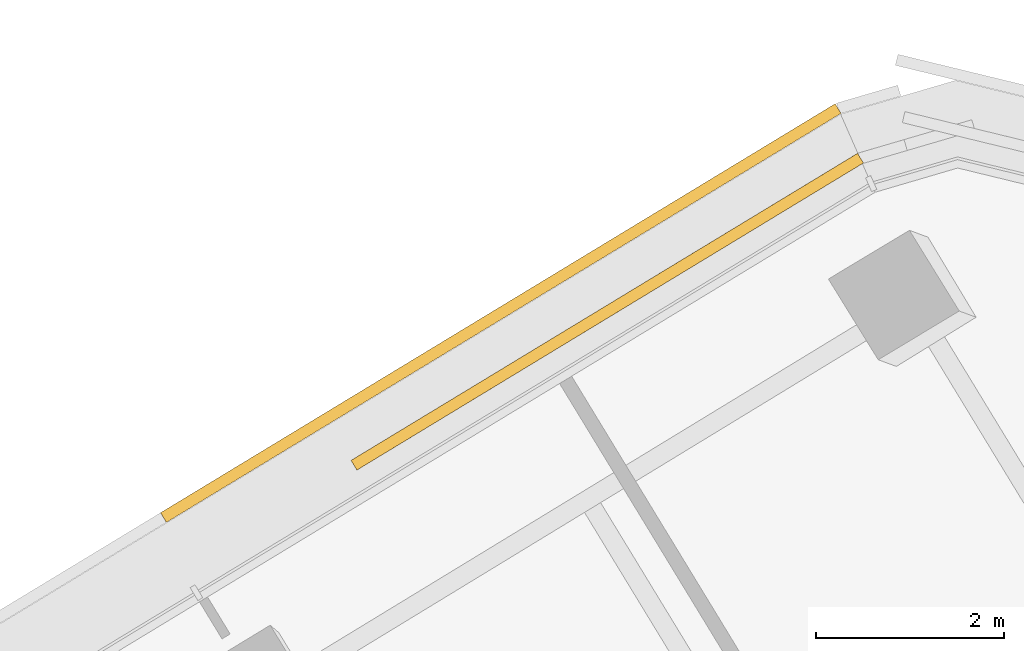
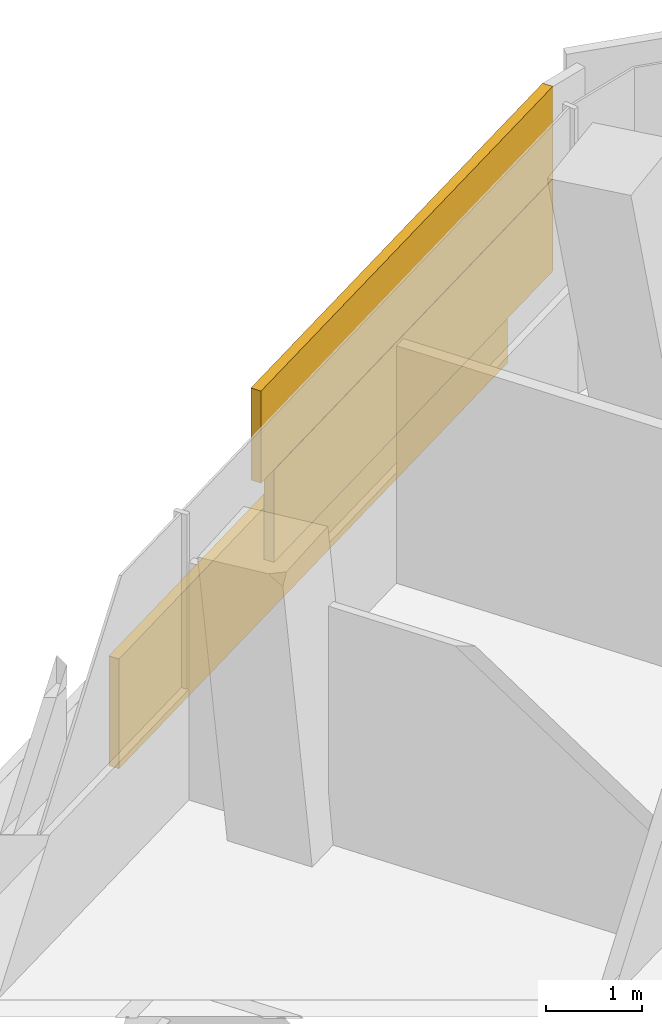
# One storey, part 35 of 35: 1 covering.
"""IFC4 building model written with IfcOpenShell, lengths in metres."""

import ifcopenshell
import ifcopenshell.guid

model = None  # the IFC model being written
_history = None  # IfcOwnerHistory: only IFC2X3 demands one
_inside = {}  # id of a spatial element -> (the spatial element, [elements in it])
_under = {}  # id of a project, library or spatial element -> (it, [spatial elements below it])
_declared = {}  # id of a project -> (the project, [libraries it declares])
_typed = {}  # id of a type object -> (the type object, [elements of that type])
_made_of = {}  # id of a material, layer set ... -> (it, [elements and type objects made of it])


def new_model(schema):
    """Start an empty IFC model of exactly this schema.

    Asked for "IFC4X3", IfcOpenShell would pick the latest addendum, in which some entities
    have other attributes; the version numbers below select the first issue.
    IFC2X3 requires an IfcOwnerHistory on every rooted entity: one is made here for all.
    """
    global model, _history
    if schema == "IFC4X3":
        model = ifcopenshell.file(schema_version=(4, 3, 0, 0))
    else:
        model = ifcopenshell.file(schema=schema)
    _inside.clear()
    _under.clear()
    _declared.clear()
    _typed.clear()
    _made_of.clear()
    _history = None
    if model.schema == "IFC2X3":
        org = make("IfcOrganization", Name="unknown")
        user = make(
            "IfcPersonAndOrganization",
            ThePerson=make("IfcPerson", FamilyName="unknown"),
            TheOrganization=org,
        )
        app = make(
            "IfcApplication",
            ApplicationDeveloper=org,
            Version="unknown",
            ApplicationFullName="unknown",
            ApplicationIdentifier="unknown",
        )
        _history = make(
            "IfcOwnerHistory",
            OwningUser=user,
            OwningApplication=app,
            ChangeAction="ADDED",
            CreationDate=0,
        )
    return model


def make(cls, **values):
    """One entity of the class cls with the attributes given. An attribute that is None is left unset."""
    return model.create_entity(
        cls, **{name: value for name, value in values.items() if value is not None}
    )


def rooted(cls, **values):
    """An entity with a GlobalId (a new one), such as an element, a storey or a relation."""
    return make(cls, GlobalId=ifcopenshell.guid.new(), OwnerHistory=_history, **values)


def si_unit(unit_type, name, prefix=None):
    """IfcSIUnit, for example si_unit("LENGTHUNIT", "METRE", prefix="MILLI")."""
    return make("IfcSIUnit", UnitType=unit_type, Prefix=prefix, Name=name)


def assignment(units):
    """IfcUnitAssignment: the units of a project."""
    return None if units is None else make("IfcUnitAssignment", Units=units)


def point(xyz):
    """IfcCartesianPoint."""
    return None if xyz is None else make("IfcCartesianPoint", Coordinates=xyz)


def direction(xyz):
    """IfcDirection."""
    return None if xyz is None else make("IfcDirection", DirectionRatios=xyz)


def frame(location, z_axis=None, x_axis=None):
    """IfcAxis2Placement3D, a coordinate frame: its origin and axes. An axis left out is left unset."""
    return make(
        "IfcAxis2Placement3D",
        Location=point(location),
        Axis=direction(z_axis),
        RefDirection=direction(x_axis),
    )


def frame_2d(location, x_axis=None):
    """IfcAxis2Placement2D, a coordinate frame in the plane: its origin and x axis."""
    return make(
        "IfcAxis2Placement2D", Location=point(location), RefDirection=direction(x_axis)
    )


def origin():
    """The frame at (0, 0, 0) with its axes left unset."""
    return frame((0.0, 0.0, 0.0))


def origin_2d():
    """The frame at (0, 0) in the plane with its x axis left unset."""
    return frame_2d((0.0, 0.0))


def place(relative_to, where):
    """IfcLocalPlacement: puts the frame where relative to a parent placement (None: the world)."""
    return make(
        "IfcLocalPlacement", PlacementRelTo=relative_to, RelativePlacement=where
    )


def context(
    kind, dimensions, precision=None, world=None, true_north=None, identifier=None
):
    """IfcGeometricRepresentationContext, for example the 3D "Model" context."""
    return make(
        "IfcGeometricRepresentationContext",
        ContextIdentifier=identifier,
        ContextType=kind,
        CoordinateSpaceDimension=dimensions,
        Precision=precision,
        WorldCoordinateSystem=world,
        TrueNorth=true_north,
    )


def subcontext(parent, identifier, kind, view, scale=None):
    """IfcGeometricRepresentationSubContext, for example "Body" below "Model"."""
    return make(
        "IfcGeometricRepresentationSubContext",
        ContextIdentifier=identifier,
        ContextType=kind,
        ParentContext=parent,
        TargetScale=scale,
        TargetView=view,
    )


def project(units=None, contexts=None):
    """IfcProject with its units and contexts."""
    return rooted(
        "IfcProject",
        Name="project",
        RepresentationContexts=contexts,
        UnitsInContext=assignment(units),
    )


def spatial(cls, under=None, at=None, **own):
    """A site, building, storey or space (cls), placed at a placement, below another one or the project."""
    s = rooted(cls, ObjectPlacement=at, **own)
    if under is not None:
        _under.setdefault(under.id(), (under, []))[1].append(s)
    return s


def profile(cls, at=None, kind="AREA", **sizes):
    """A parametric profile (cls). Its sizes go by their IFC names, for example OverallWidth=200.0."""
    return make(cls, ProfileType=kind, Position=at, **sizes)


def rectangle(**sizes):
    """IfcRectangleProfileDef."""
    return profile("IfcRectangleProfileDef", **sizes)


def extrude(swept, where, along, depth):
    """IfcExtrudedAreaSolid: the profile swept, set in the frame where, extruded along a direction by depth."""
    return make(
        "IfcExtrudedAreaSolid",
        SweptArea=swept,
        Position=where,
        ExtrudedDirection=direction(along),
        Depth=depth,
    )


def shape(context_of_items, identifier, shape_type, items):
    """IfcShapeRepresentation: the items that make up one representation, for example the "Body"."""
    return make(
        "IfcShapeRepresentation",
        ContextOfItems=context_of_items,
        RepresentationIdentifier=identifier,
        RepresentationType=shape_type,
        Items=items,
    )


def material(Name=None, Category=None):
    """IfcMaterial."""
    return make("IfcMaterial", Name=Name, Category=Category)


def layer(
    of_material, thickness, ventilated=None, Name=None, Category=None, Priority=None
):
    """IfcMaterialLayer: one layer of a wall or slab, of a material (None: an air gap)."""
    return make(
        "IfcMaterialLayer",
        Material=of_material,
        LayerThickness=thickness,
        IsVentilated=ventilated,
        Name=Name,
        Category=Category,
        Priority=Priority,
    )


def layer_set(layers, Name=None):
    """IfcMaterialLayerSet."""
    return make("IfcMaterialLayerSet", MaterialLayers=layers, LayerSetName=Name)


def made_of(thing, what):
    """Note that an element or type object is made of a material, layer set ...; save() writes the relation."""
    if what is not None:
        _made_of.setdefault(what.id(), (what, []))[1].append(thing)
    return thing


def type_object(cls, material=None, **own):
    """A type object (cls), such as IfcWallType, which elements share."""
    return made_of(rooted(cls, **own), material)


def element(
    cls,
    number,
    at=None,
    inside=None,
    cuts=None,
    type_object=None,
    material=None,
    context=None,
    identifier="Body",
    shape_type=None,
    held_by="IfcProductDefinitionShape",
    body=None,
    shapes=None,
    **own,
):
    """One element of the class cls, such as IfcWall. Its Tag is "e" and its number.

    at: its placement. inside: the storey or other place that contains it. cuts: it is an
    opening in that element (IfcRelVoidsElement). A single representation is given by context,
    identifier, shape_type and body (its items); several are given by shapes. held_by: the class
    of the entity that holds the representations. save() writes the other relations.
    """
    e = rooted(cls, Tag="e%d" % number, ObjectPlacement=at, **own)
    if body is not None:
        shapes = [shape(context, identifier, shape_type, body)]
    if shapes is not None:
        e.Representation = make(held_by, Representations=shapes)
    if inside is not None:
        _inside.setdefault(inside.id(), (inside, []))[1].append(e)
    if cuts is not None:
        rooted(
            "IfcRelVoidsElement", RelatingBuildingElement=cuts, RelatedOpeningElement=e
        )
    if type_object is not None:
        _typed.setdefault(type_object.id(), (type_object, []))[1].append(e)
    return made_of(e, material)


def aggregate(whole, parts):
    """IfcRelAggregates: a whole, such as a stair, and the parts it consists of."""
    return rooted("IfcRelAggregates", RelatingObject=whole, RelatedObjects=parts)


def save(model, path):
    """Write the relations noted so far, then the file.

    IfcRelAggregates (storeys below a building ...), IfcRelContainedInSpatialStructure (elements
    in a storey), IfcRelDefinesByType, IfcRelAssociatesMaterial and IfcRelDeclares: one each for
    every whole, place, type object, material and project.
    """
    for whole, parts in _under.values():
        aggregate(whole, parts)
    for where, things in _inside.values():
        rooted(
            "IfcRelContainedInSpatialStructure",
            RelatedElements=things,
            RelatingStructure=where,
        )
    for kind, things in _typed.values():
        rooted("IfcRelDefinesByType", RelatedObjects=things, RelatingType=kind)
    for what, things in _made_of.values():
        rooted("IfcRelAssociatesMaterial", RelatedObjects=things, RelatingMaterial=what)
    for by, libraries in _declared.values():
        rooted("IfcRelDeclares", RelatingContext=by, RelatedDefinitions=libraries)
    model.write(path)


model = new_model("IFC4")

# Units and contexts
model_context = context("Model", 3, precision=1e-05, world=origin(), true_north=direction((0.0, 1.0)))
body_context = subcontext(model_context, "Body", "Model", "MODEL_VIEW")
ifc_project = project(units=[si_unit("LENGTHUNIT", "METRE"), si_unit("AREAUNIT", "SQUARE_METRE"), si_unit("VOLUMEUNIT", "CUBIC_METRE"), si_unit("PLANEANGLEUNIT", "RADIAN"), si_unit("MASSUNIT", "GRAM", prefix="KILO")], contexts=[model_context])

# Site, building, storey
site_placement = place(None, origin())
site = spatial("IfcSite", under=ifc_project, at=site_placement, CompositionType="ELEMENT")
building_placement = place(site_placement, origin())
building = spatial("IfcBuilding", under=site, at=building_placement, Name="Tamarind Cross Interchange Tower", CompositionType="ELEMENT")
storey_placement = place(building_placement, frame((0.0, 0.0, 148.0)))
storey = spatial("IfcBuildingStorey", under=building, at=storey_placement, Name="L36", CompositionType="ELEMENT", Elevation=148.0)

# Covering
ifc_material = material(Name="Terracotta", Category="masonry")
ifc_layer = layer(ifc_material, 0.1201171875)
ifc_layer_set = layer_set([ifc_layer], Name="Terracotta")
covering_type = type_object("IfcCoveringType", Name="Terracotta baguette screen unit", PredefinedType="MOLDING", material=ifc_layer_set)
covering_placement = place(storey_placement, origin())
element("IfcCovering", 1, at=covering_placement, inside=storey, type_object=covering_type, Name="SCR-L36-09-00", PredefinedType="MOLDING", context=body_context, shape_type="SweptSolid", body=[
    extrude(rectangle(XDim=1.510009765625, YDim=0.1201171875, at=origin_2d()), frame((39.616943359375, 19.033203125, 1.404052734375), z_axis=(0.0, 0.0, 1.0), x_axis=(-0.855123301434, -0.518424670848, 0.0)), (0.0, 0.0, 1.0), 1.1669921875),
    extrude(rectangle(XDim=1.52001953125, YDim=0.1201171875, at=origin_2d()), frame((38.334228515625, 18.255615234375, 1.404052734375), z_axis=(0.0, 0.0, 1.0), x_axis=(-0.855123301434, -0.518424670848, 0.0)), (0.0, 0.0, 1.0), 1.1669921875),
    extrude(rectangle(XDim=1.52001953125, YDim=0.1201171875, at=origin_2d()), frame((37.051513671875, 17.477783203125, 1.404052734375), z_axis=(0.0, 0.0, 1.0), x_axis=(-0.855123301434, -0.518424670848, 0.0)), (0.0, 0.0, 1.0), 1.1669921875),
    extrude(rectangle(XDim=1.52001953125, YDim=0.1201171875, at=origin_2d()), frame((35.76904296875, 16.7001953125, 1.404052734375), z_axis=(0.0, 0.0, 1.0), x_axis=(-0.855123301434, -0.518424670848, 0.0)), (0.0, 0.0, 1.0), 1.1669921875),
    extrude(rectangle(XDim=0.760009765625, YDim=0.1201171875, at=origin_2d()), frame((39.937744140625, 19.2275390625, 2.5791015625), z_axis=(0.0, 0.0, 1.0), x_axis=(-0.855123301434, -0.518424670848, 0.0)), (0.0, 0.0, 1.0), 1.1669921875),
    extrude(rectangle(XDim=1.52001953125, YDim=0.1201171875, at=origin_2d()), frame((38.9755859375, 18.644287109375, 2.5791015625), z_axis=(0.0, 0.0, 1.0), x_axis=(-0.855123301434, -0.518424670848, 0.0)), (0.0, 0.0, 1.0), 1.1669921875),
    extrude(rectangle(XDim=1.52001953125, YDim=0.1201171875, at=origin_2d()), frame((37.69287109375, 17.86669921875, 2.5791015625), z_axis=(0.0, 0.0, 1.0), x_axis=(-0.855123301434, -0.518424670848, 0.0)), (0.0, 0.0, 1.0), 1.1669921875),
    extrude(rectangle(XDim=1.52001953125, YDim=0.1201171875, at=origin_2d()), frame((36.410400390625, 17.089111328125, 2.5791015625), z_axis=(0.0, 0.0, 1.0), x_axis=(-0.855123301434, -0.518424670848, 0.0)), (0.0, 0.0, 1.0), 1.1669921875),
    extrude(rectangle(XDim=1.04443359375, YDim=0.1201171875, at=origin_2d()), frame((35.32666015625, 16.43212890625, 2.5791015625), z_axis=(0.0, 0.0, 1.0), x_axis=(-0.855123301434, -0.518424670848, 0.0)), (0.0, 0.0, 1.0), 1.1669921875),
    extrude(rectangle(XDim=1.510009765625, YDim=0.1201171875, at=origin_2d()), frame((39.379150390625, 19.560302734375, 0.00390625), z_axis=(0.0, 0.0, 1.0), x_axis=(-0.855123301434, -0.518424670848, 0.0)), (0.0, 0.0, 1.0), 1.39208984375),
    extrude(rectangle(XDim=1.52001953125, YDim=0.1201171875, at=origin_2d()), frame((38.100830078125, 18.78515625, 0.00390625), z_axis=(0.0, 0.0, 1.0), x_axis=(-0.855123301434, -0.518424670848, 0.0)), (0.0, 0.0, 1.0), 1.39208984375),
    extrude(rectangle(XDim=1.52001953125, YDim=0.1201171875, at=origin_2d()), frame((36.818115234375, 18.007568359375, 0.00390625), z_axis=(0.0, 0.0, 1.0), x_axis=(-0.855123301434, -0.518424670848, 0.0)), (0.0, 0.0, 1.0), 1.39208984375),
    extrude(rectangle(XDim=1.52001953125, YDim=0.1201171875, at=origin_2d()), frame((35.535400390625, 17.22998046875, 0.00390625), z_axis=(0.0, 0.0, 1.0), x_axis=(-0.855123301434, -0.518424670848, 0.0)), (0.0, 0.0, 1.0), 1.39208984375),
    extrude(rectangle(XDim=1.52001953125, YDim=0.1201171875, at=origin_2d()), frame((34.252685546875, 16.452392578125, 0.00390625), z_axis=(0.0, 0.0, 1.0), x_axis=(-0.855123301434, -0.518424670848, 0.0)), (0.0, 0.0, 1.0), 1.39208984375),
    extrude(rectangle(XDim=0.893310546875, YDim=0.1201171875, at=origin_2d()), frame((33.238037109375, 15.837158203125, 0.00390625), z_axis=(0.0, 0.0, 1.0), x_axis=(-0.855123301434, -0.518424670848, 0.0)), (0.0, 0.0, 1.0), 1.39208984375),
])

save(model, "model.ifc")
